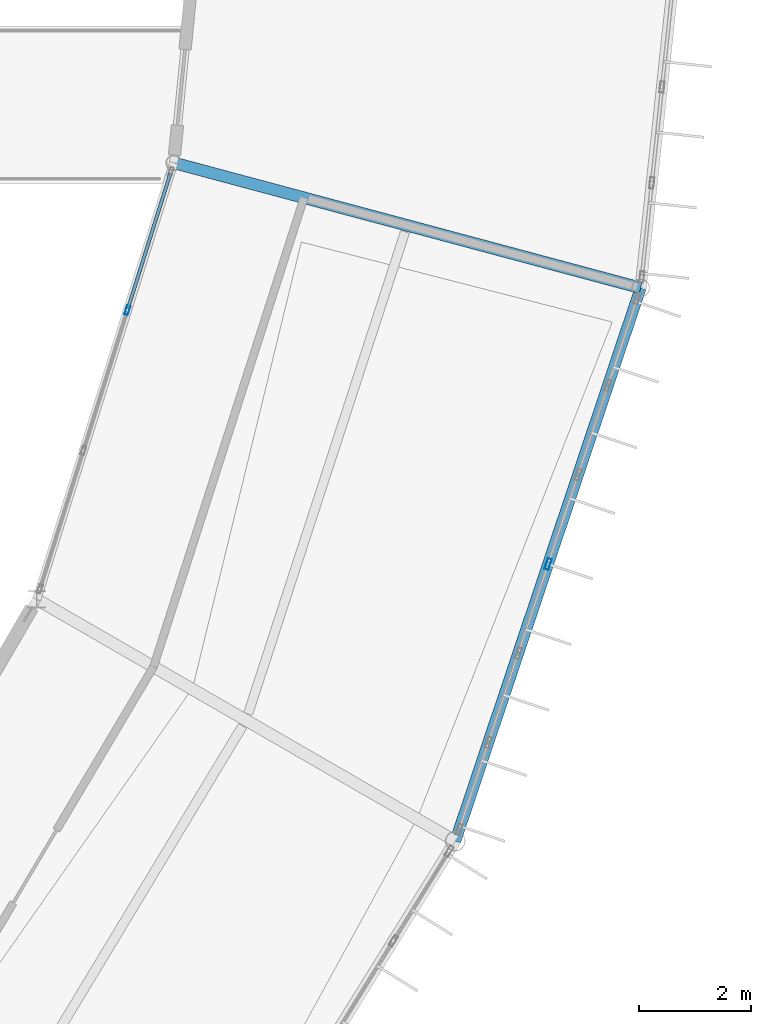
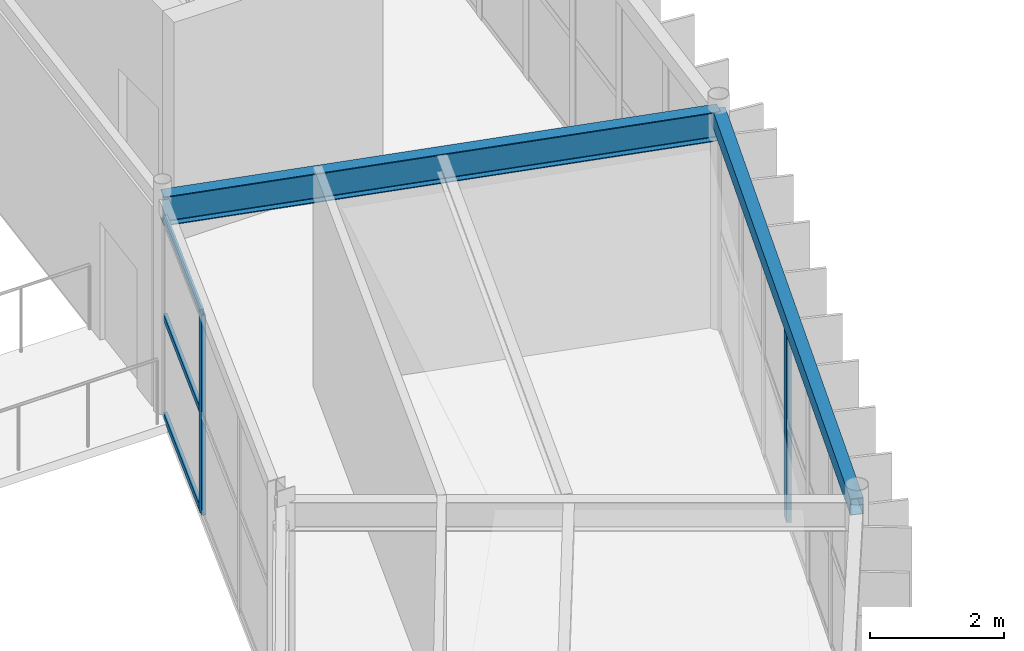
# One storey, part 61 of 147: 5 members, 2 beams, 2 elements without a shape of their own.
"""IFC4 building model written with IfcOpenShell, lengths in metres."""

from ifc_helpers import new_model, si_unit, direction, frame, origin, origin_2d, place, context, subcontext, project, spatial, hollow_rectangle, i_section, extrude, material, material_profile, profile_set, type_object, element, aggregate, save


model = new_model("IFC4")

# Units and contexts
model_context = context("Model", 3, precision=1e-05, world=origin(), true_north=direction((0.0, 1.0)))
body_context = subcontext(model_context, "Body", "Model", "MODEL_VIEW")
ifc_project = project(units=[si_unit("LENGTHUNIT", "METRE"), si_unit("AREAUNIT", "SQUARE_METRE"), si_unit("VOLUMEUNIT", "CUBIC_METRE"), si_unit("PLANEANGLEUNIT", "RADIAN"), si_unit("MASSUNIT", "GRAM", prefix="KILO")], contexts=[model_context])

# Site, building, storey
site_placement = place(None, origin())
site = spatial("IfcSite", under=ifc_project, at=site_placement, CompositionType="ELEMENT")
building_placement = place(site_placement, origin())
building = spatial("IfcBuilding", under=site, at=building_placement, Name="Karori Crest Natural Sciences Institute", CompositionType="ELEMENT")
storey_placement = place(building_placement, frame((0.0, 0.0, 9.10009765625)))
storey = spatial("IfcBuildingStorey", under=building, at=storey_placement, Name="L02", CompositionType="ELEMENT", Elevation=9.10009765625)

# Beams
ifc_material_1 = material(Name="Structural steel AS/NZS 3679.1 Grade 350", Category="steel")
ifc_material_profile_1 = material_profile(ifc_material_1, i_section(OverallWidth=0.208984375, OverallDepth=0.532958984375, WebThickness=0.01025390625, FlangeThickness=0.015625, FilletRadius=0.013916015625, at=origin_2d()), Name="530UB92.4")
ifc_profile_set_1 = profile_set([ifc_material_profile_1], Name="Structural steel AS/NZS 3679.1 Grade 350")
beam_type_1 = type_object("IfcBeamType", Name="BT-05", PredefinedType="BEAM", material=ifc_profile_set_1)
beam_1_placement = place(storey_placement, frame((89.968505859375, 41.56591796875, 3.67333984375), z_axis=(0.96592752402, -0.258812709002, 0.0), x_axis=(0.258812709002, 0.96592752402, 0.0)))
element("IfcBeam", 1, at=beam_1_placement, inside=storey, type_object=beam_type_1, Name="Beam B-0360", PredefinedType="BEAM", context=body_context, shape_type="SweptSolid", body=[
    extrude(i_section(OverallWidth=0.208984375, OverallDepth=0.532958984375, WebThickness=0.01025390625, FlangeThickness=0.015625, FilletRadius=0.013916015625, at=origin_2d()), origin(), (0.0, 0.0, 1.0), 8.60009765625),
])
ifc_material_2 = material(Name="Hollow structural steel AS/NZS 1163 Grade C350", Category="steel")
ifc_material_profile_2 = material_profile(ifc_material_2, hollow_rectangle(XDim=0.199951171875, YDim=0.300048828125, WallThickness=0.010009765625, at=origin_2d()), Name="RHS300x200x10")
ifc_profile_set_2 = profile_set([ifc_material_profile_2], Name="Hollow structural steel AS/NZS 1163 Grade C350")
beam_type_2 = type_object("IfcBeamType", Name="BT-15", PredefinedType="SPANDREL", material=ifc_profile_set_2)
beam_2_placement = place(storey_placement, frame((94.978759765625, 29.5, 3.789794921875), z_axis=(0.317688324477, 0.948195195353, 0.0), x_axis=(-0.948195195353, 0.317688324477, 0.0)))
element("IfcBeam", 2, at=beam_2_placement, inside=storey, type_object=beam_type_2, Name="Beam B-0354", PredefinedType="SPANDREL", context=body_context, shape_type="SweptSolid", body=[
    extrude(hollow_rectangle(XDim=0.199951171875, YDim=0.300048828125, WallThickness=0.010009765625, at=origin_2d()), origin(), (0.0, 0.0, 1.0), 10.377685546875),
])

# Curtain wall, member
ifc_material_3 = material(Name="Anodised architectural aluminium 6063-T6", Category="aluminium")
curtain_wall_type_1 = type_object("IfcCurtainWallType", Name="CWT-13", PredefinedType="NOTDEFINED", material=ifc_material_3)
curtain_wall_1_placement = place(storey_placement, origin())
curtain_wall_1 = element("IfcCurtainWall", 3, at=curtain_wall_1_placement, inside=storey, type_object=curtain_wall_type_1, Name="Curtain wall CW-0098", PredefinedType="NOTDEFINED")
ifc_material_profile_3 = material_profile(ifc_material_3, hollow_rectangle(XDim=0.06494140625, YDim=0.159912109375, WallThickness=0.00390625, at=origin_2d()), Name="CWM160x65x4")
ifc_profile_set_3 = profile_set([ifc_material_profile_3], Name="Anodised architectural aluminium 6063-T6")
member_type_1 = type_object("IfcMemberType", Name="CWM-01", PredefinedType="MULLION", material=ifc_profile_set_3)
member_1_placement = place(storey_placement, frame((89.14501953125, 38.9423828125, 0.0), z_axis=(0.0, 0.0, 1.0), x_axis=(-0.954103649609, 0.2994765864, 0.0)))
member_1 = element("IfcMember", 4, at=member_1_placement, type_object=member_type_1, Name="CW-0098 mullion 3", PredefinedType="MULLION", context=body_context, shape_type="SweptSolid", body=[
    extrude(hollow_rectangle(XDim=0.06494140625, YDim=0.159912109375, WallThickness=0.00390625, at=origin_2d()), origin(), (0.0, 0.0, 1.0), 3.64990234375),
])

curtain_wall_type_2 = type_object("IfcCurtainWallType", Name="CWT-03", PredefinedType="NOTDEFINED", material=ifc_material_3)
curtain_wall_2_placement = place(storey_placement, origin())
curtain_wall_2 = element("IfcCurtainWall", 5, at=curtain_wall_2_placement, inside=storey, type_object=curtain_wall_type_2, Name="Curtain wall CW-0097", PredefinedType="NOTDEFINED")
ifc_material_profile_4 = material_profile(ifc_material_3, hollow_rectangle(XDim=0.074951171875, YDim=0.199951171875, WallThickness=0.0048828125, at=origin_2d()), Name="CWM200x75x5")
ifc_profile_set_4 = profile_set([ifc_material_profile_4], Name="Anodised architectural aluminium 6063-T6")
member_type_2 = type_object("IfcMemberType", Name="CWM-02", PredefinedType="MULLION", material=ifc_profile_set_4)
member_2_placement = place(storey_placement, frame((96.629638671875, 34.427490234375, 0.0), z_axis=(0.0, 0.0, 1.0), x_axis=(0.948196219586, -0.317685267462, 0.0)))
member_2 = element("IfcMember", 6, at=member_2_placement, type_object=member_type_2, Name="CW-0097 mullion 4", PredefinedType="MULLION", context=body_context, shape_type="SweptSolid", body=[
    extrude(hollow_rectangle(XDim=0.074951171875, YDim=0.199951171875, WallThickness=0.0048828125, at=origin_2d()), origin(), (0.0, 0.0, 1.0), 3.625),
])
aggregate(curtain_wall_2, [member_2])

# Member
ifc_material_profile_5 = material_profile(ifc_material_3, hollow_rectangle(XDim=0.06005859375, YDim=0.1201171875, WallThickness=0.00390625, at=origin_2d()), Name="CWT120x60x4")
ifc_profile_set_5 = profile_set([ifc_material_profile_5], Name="Anodised architectural aluminium 6063-T6")
member_type_3 = type_object("IfcMemberType", Name="CWT-TR1", PredefinedType="USERDEFINED", material=ifc_profile_set_5)
member_3_placement = place(storey_placement, frame((89.15478515625, 38.973388671875, 0.02978515625), z_axis=(0.299511422276, 0.954092714534, 0.0), x_axis=(-0.954092714534, 0.299511422276, 0.0)))
member_3 = element("IfcMember", 7, at=member_3_placement, type_object=member_type_3, Name="CW-0098 transom 3.1", ObjectType="TRANSOM", PredefinedType="USERDEFINED", context=body_context, shape_type="SweptSolid", body=[
    extrude(hollow_rectangle(XDim=0.06005859375, YDim=0.1201171875, WallThickness=0.00390625, at=origin_2d()), origin(), (0.0, 0.0, 1.0), 2.517822265625),
])

member_4_placement = place(storey_placement, frame((89.15478515625, 38.973388671875, 1.824951171875), z_axis=(0.299511422276, 0.954092714534, 0.0), x_axis=(-0.954092714534, 0.299511422276, 0.0)))
member_4 = element("IfcMember", 8, at=member_4_placement, type_object=member_type_3, Name="CW-0098 transom 3.2", ObjectType="TRANSOM", PredefinedType="USERDEFINED", context=body_context, shape_type="SweptSolid", body=[
    extrude(hollow_rectangle(XDim=0.06005859375, YDim=0.1201171875, WallThickness=0.00390625, at=origin_2d()), origin(), (0.0, 0.0, 1.0), 2.517822265625),
])

member_5_placement = place(storey_placement, frame((89.15478515625, 38.973388671875, 3.619873046875), z_axis=(0.299511422276, 0.954092714534, 0.0), x_axis=(-0.954092714534, 0.299511422276, 0.0)))
member_5 = element("IfcMember", 9, at=member_5_placement, type_object=member_type_3, Name="CW-0098 transom 3.3", ObjectType="TRANSOM", PredefinedType="USERDEFINED", context=body_context, shape_type="SweptSolid", body=[
    extrude(hollow_rectangle(XDim=0.06005859375, YDim=0.1201171875, WallThickness=0.00390625, at=origin_2d()), origin(), (0.0, 0.0, 1.0), 2.517822265625),
])

aggregate(curtain_wall_1, [member_1, member_3, member_4, member_5])

save(model, "model.ifc")
